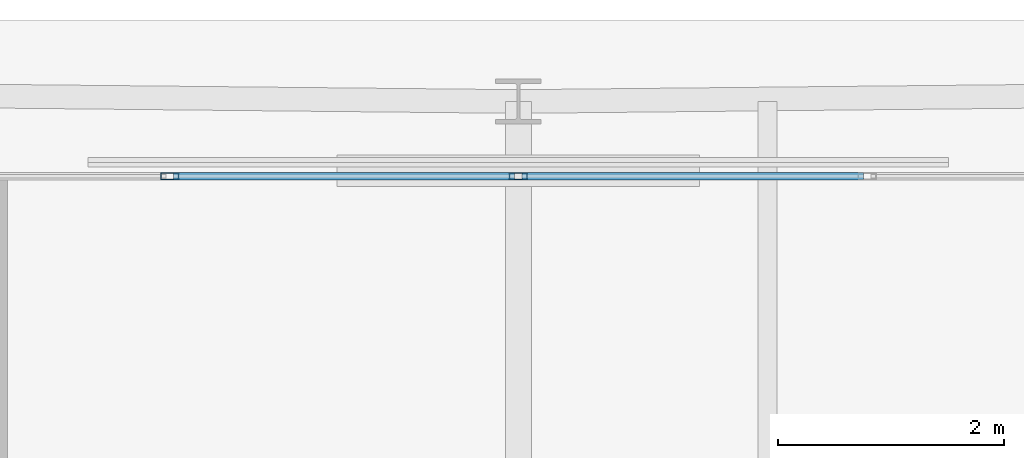
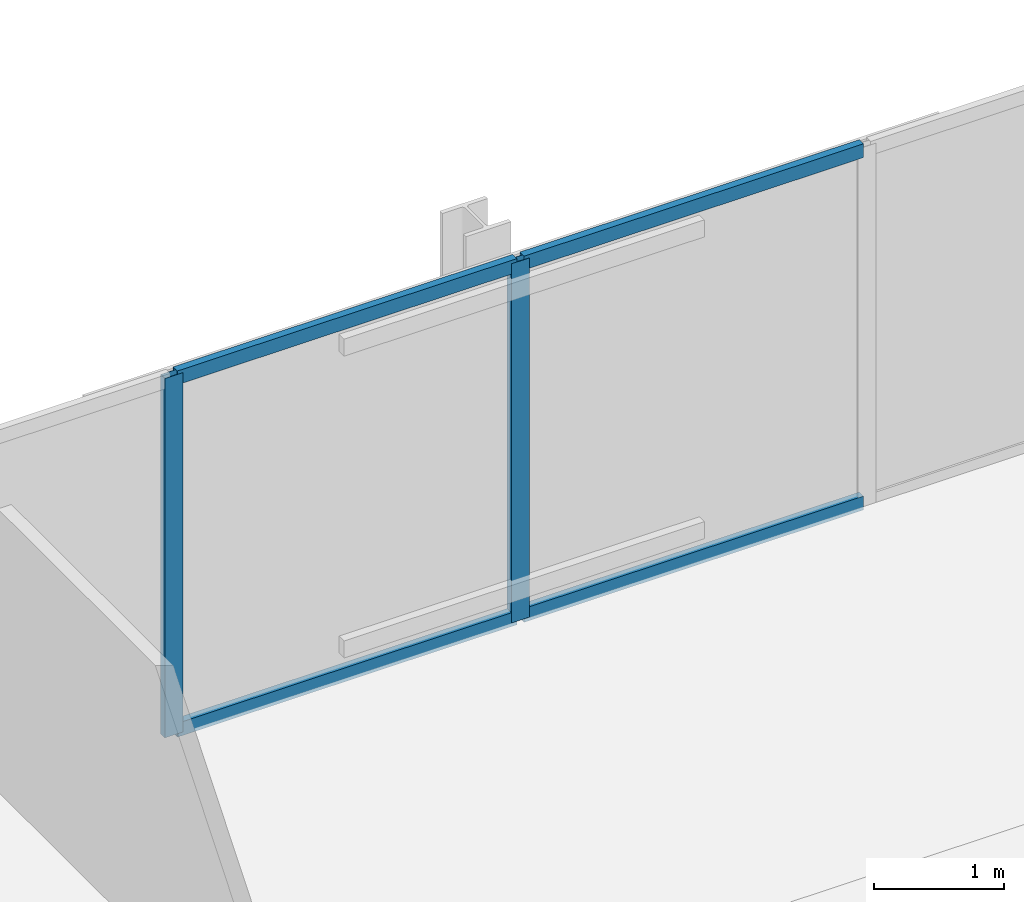
# One storey, part 30 of 39: 6 members, 1 element without a shape of its own.
"""IFC4 building model written with IfcOpenShell, lengths in metres."""

from ifc_helpers import new_model, si_unit, direction, frame, origin, origin_2d, place, context, subcontext, project, spatial, hollow_rectangle, extrude, material, layer, layer_set, material_profile, profile_set, type_object, element, aggregate, save


model = new_model("IFC4")

# Units and contexts
model_context = context("Model", 3, precision=1e-05, world=origin(), true_north=direction((0.0, 1.0)))
body_context = subcontext(model_context, "Body", "Model", "MODEL_VIEW")
ifc_project = project(units=[si_unit("LENGTHUNIT", "METRE"), si_unit("AREAUNIT", "SQUARE_METRE"), si_unit("VOLUMEUNIT", "CUBIC_METRE"), si_unit("PLANEANGLEUNIT", "RADIAN"), si_unit("MASSUNIT", "GRAM", prefix="KILO")], contexts=[model_context])

# Site, building, storey
site_placement = place(None, origin())
site = spatial("IfcSite", under=ifc_project, at=site_placement, CompositionType="ELEMENT")
building_placement = place(site_placement, origin())
building = spatial("IfcBuilding", under=site, at=building_placement, Name="Caelvoria Tower", CompositionType="ELEMENT")
storey_placement = place(building_placement, frame((0.0, 0.0, 198.60009765625)))
storey = spatial("IfcBuildingStorey", under=building, at=storey_placement, Name="L52", CompositionType="ELEMENT", Elevation=198.60009765625)

# Curtain wall, members
ifc_material_1 = material(Name="Anodised Bronze Aluminium and Low-E Glass", Category="aluminium")
ifc_layer = layer(ifc_material_1, 0.175048828125, Name="Anodised Bronze Aluminium and Low-E Glass")
ifc_layer_set = layer_set([ifc_layer], Name="CW System 4 High-Zone Tapered Crystal Facade - Anodised Bronze Aluminium and Low-E Glass")
curtain_wall_type = type_object("IfcCurtainWallType", Name="CW System 4 High-Zone Tapered Crystal Facade", PredefinedType="NOTDEFINED", material=ifc_layer_set)
curtain_wall_placement = place(storey_placement, origin())
curtain_wall = element("IfcCurtainWall", 1, at=curtain_wall_placement, inside=storey, type_object=curtain_wall_type, Name="CW-04 Curtain Wall L52-E4", PredefinedType="NOTDEFINED")
ifc_material_2 = material(Name="Anodised Bronze Architectural Aluminium", Category="aluminium")
ifc_material_profile_1 = material_profile(ifc_material_2, hollow_rectangle(XDim=0.06494140625, YDim=0.159912109375, WallThickness=0.00390625, at=origin_2d()), Name="Anodised Bronze Architectural Aluminium")
ifc_profile_set_1 = profile_set([ifc_material_profile_1], Name="CW_MULL_65X160 - Anodised Bronze Architectural Aluminium")
member_type_1 = type_object("IfcMemberType", Name="Curtain Wall Mullion 65x160 Bronze Aluminium", PredefinedType="MULLION", material=ifc_profile_set_1)
member_1_placement = place(storey_placement, frame((46.0, 50.419921875, 0.0), z_axis=(0.0, 0.0, 1.0), x_axis=(0.0, -1.0, 0.0)))
member_1 = element("IfcMember", 2, at=member_1_placement, type_object=member_type_1, Name="CW-04 mullion 6", PredefinedType="MULLION", context=body_context, shape_type="SweptSolid", body=[
    extrude(hollow_rectangle(XDim=0.06494140625, YDim=0.159912109375, WallThickness=0.00390625, at=origin_2d()), origin(), (0.0, 0.0, 1.0), 3.375),
])
member_2_placement = place(storey_placement, frame((42.919921875, 50.419921875, 0.0), z_axis=(0.0, 0.0, 1.0), x_axis=(0.0, -1.0, 0.0)))
member_2 = element("IfcMember", 3, at=member_2_placement, type_object=member_type_1, Name="CW-04 mullion 7", PredefinedType="MULLION", context=body_context, shape_type="SweptSolid", body=[
    extrude(hollow_rectangle(XDim=0.06494140625, YDim=0.159912109375, WallThickness=0.00390625, at=origin_2d()), origin(), (0.0, 0.0, 1.0), 3.375),
])
ifc_material_profile_2 = material_profile(ifc_material_2, hollow_rectangle(XDim=0.06494140625, YDim=0.1298828125, WallThickness=0.00341796875, at=origin_2d()), Name="Anodised Bronze Architectural Aluminium")
ifc_profile_set_2 = profile_set([ifc_material_profile_2], Name="CW_TRAN_65X130 - Anodised Bronze Architectural Aluminium")
member_type_2 = type_object("IfcMemberType", Name="Curtain Wall Transom 65x130 Bronze Aluminium", PredefinedType="USERDEFINED", material=ifc_profile_set_2)
member_3_placement = place(storey_placement, frame((49.047607421875, 50.419921875, 0.032470703125), z_axis=(-1.0, 0.0, 0.0), x_axis=(0.0, -1.0, 0.0)))
member_3 = element("IfcMember", 4, at=member_3_placement, type_object=member_type_2, Name="CW-04 transom 5.1", ObjectType="TRANSOM", PredefinedType="USERDEFINED", context=body_context, shape_type="SweptSolid", body=[
    extrude(hollow_rectangle(XDim=0.06494140625, YDim=0.1298828125, WallThickness=0.00341796875, at=origin_2d()), origin(), (0.0, 0.0, 1.0), 3.01513671875),
])
member_4_placement = place(storey_placement, frame((49.047607421875, 50.419921875, 3.34228515625), z_axis=(-1.0, 0.0, 0.0), x_axis=(0.0, -1.0, 0.0)))
member_4 = element("IfcMember", 5, at=member_4_placement, type_object=member_type_2, Name="CW-04 transom 5.2", ObjectType="TRANSOM", PredefinedType="USERDEFINED", context=body_context, shape_type="SweptSolid", body=[
    extrude(hollow_rectangle(XDim=0.06494140625, YDim=0.1298828125, WallThickness=0.00341796875, at=origin_2d()), origin(), (0.0, 0.0, 1.0), 3.01513671875),
])
member_5_placement = place(storey_placement, frame((45.967529296875, 50.419921875, 0.032470703125), z_axis=(-1.0, 0.0, 0.0), x_axis=(0.0, -1.0, 0.0)))
member_5 = element("IfcMember", 6, at=member_5_placement, type_object=member_type_2, Name="CW-04 transom 6.1", ObjectType="TRANSOM", PredefinedType="USERDEFINED", context=body_context, shape_type="SweptSolid", body=[
    extrude(hollow_rectangle(XDim=0.06494140625, YDim=0.1298828125, WallThickness=0.00341796875, at=origin_2d()), origin(), (0.0, 0.0, 1.0), 3.01513671875),
])
member_6_placement = place(storey_placement, frame((45.967529296875, 50.419921875, 3.34228515625), z_axis=(-1.0, 0.0, 0.0), x_axis=(0.0, -1.0, 0.0)))
member_6 = element("IfcMember", 7, at=member_6_placement, type_object=member_type_2, Name="CW-04 transom 6.2", ObjectType="TRANSOM", PredefinedType="USERDEFINED", context=body_context, shape_type="SweptSolid", body=[
    extrude(hollow_rectangle(XDim=0.06494140625, YDim=0.1298828125, WallThickness=0.00341796875, at=origin_2d()), origin(), (0.0, 0.0, 1.0), 3.01513671875),
])
aggregate(curtain_wall, [member_1, member_2, member_3, member_4, member_5, member_6])

save(model, "model.ifc")
